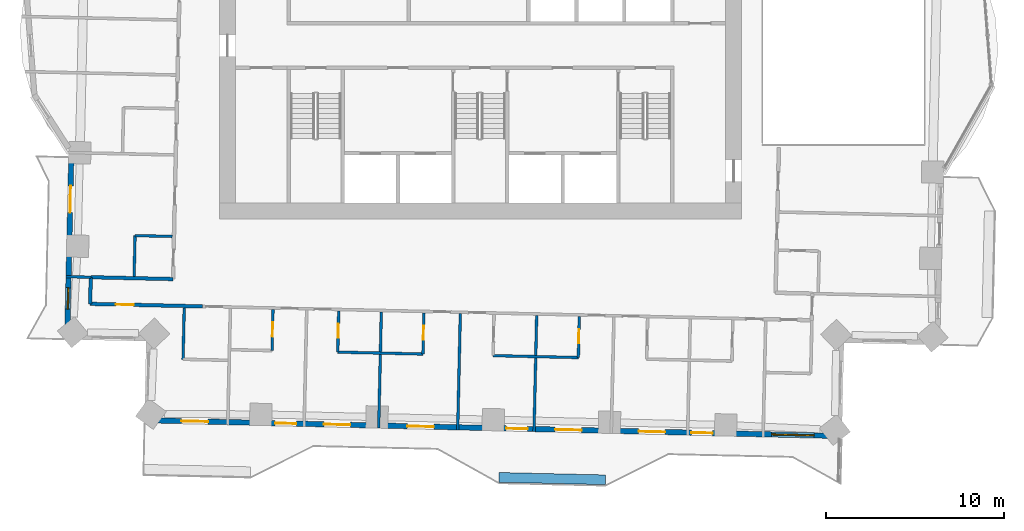
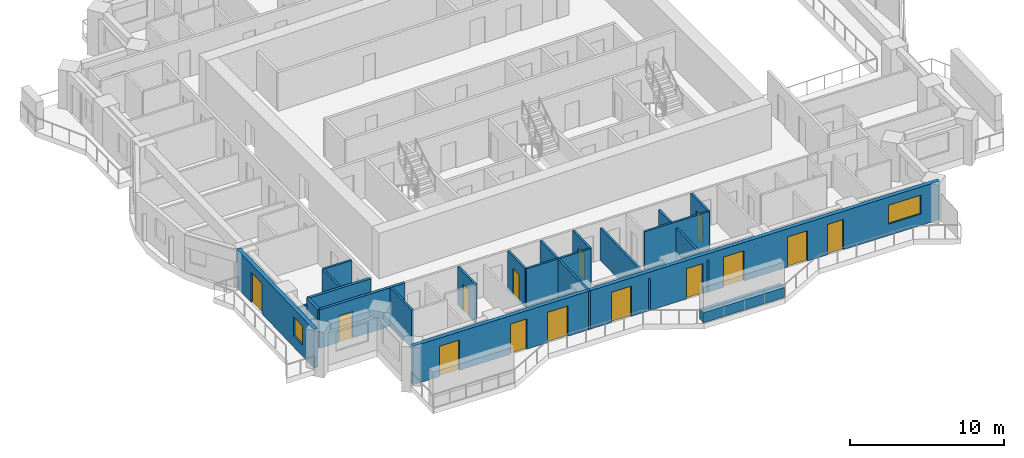
# One storey, part 4 of 14: 19 walls, 14 doors, 2 windows, 16 openings.
"""IFC4 building model written with IfcOpenShell, lengths in metres."""

import ifcopenshell
import ifcopenshell.guid

model = None  # the IFC model being written
_history = None  # IfcOwnerHistory: only IFC2X3 demands one
_inside = {}  # id of a spatial element -> (the spatial element, [elements in it])
_under = {}  # id of a project, library or spatial element -> (it, [spatial elements below it])
_declared = {}  # id of a project -> (the project, [libraries it declares])
_typed = {}  # id of a type object -> (the type object, [elements of that type])
_made_of = {}  # id of a material, layer set ... -> (it, [elements and type objects made of it])


def new_model(schema):
    """Start an empty IFC model of exactly this schema.

    Asked for "IFC4X3", IfcOpenShell would pick the latest addendum, in which some entities
    have other attributes; the version numbers below select the first issue.
    IFC2X3 requires an IfcOwnerHistory on every rooted entity: one is made here for all.
    """
    global model, _history
    if schema == "IFC4X3":
        model = ifcopenshell.file(schema_version=(4, 3, 0, 0))
    else:
        model = ifcopenshell.file(schema=schema)
    _inside.clear()
    _under.clear()
    _declared.clear()
    _typed.clear()
    _made_of.clear()
    _history = None
    if model.schema == "IFC2X3":
        org = make("IfcOrganization", Name="unknown")
        user = make(
            "IfcPersonAndOrganization",
            ThePerson=make("IfcPerson", FamilyName="unknown"),
            TheOrganization=org,
        )
        app = make(
            "IfcApplication",
            ApplicationDeveloper=org,
            Version="unknown",
            ApplicationFullName="unknown",
            ApplicationIdentifier="unknown",
        )
        _history = make(
            "IfcOwnerHistory",
            OwningUser=user,
            OwningApplication=app,
            ChangeAction="ADDED",
            CreationDate=0,
        )
    return model


def make(cls, **values):
    """One entity of the class cls with the attributes given. An attribute that is None is left unset."""
    return model.create_entity(
        cls, **{name: value for name, value in values.items() if value is not None}
    )


def rooted(cls, **values):
    """An entity with a GlobalId (a new one), such as an element, a storey or a relation."""
    return make(cls, GlobalId=ifcopenshell.guid.new(), OwnerHistory=_history, **values)


def si_unit(unit_type, name, prefix=None):
    """IfcSIUnit, for example si_unit("LENGTHUNIT", "METRE", prefix="MILLI")."""
    return make("IfcSIUnit", UnitType=unit_type, Prefix=prefix, Name=name)


def assignment(units):
    """IfcUnitAssignment: the units of a project."""
    return None if units is None else make("IfcUnitAssignment", Units=units)


def point(xyz):
    """IfcCartesianPoint."""
    return None if xyz is None else make("IfcCartesianPoint", Coordinates=xyz)


def direction(xyz):
    """IfcDirection."""
    return None if xyz is None else make("IfcDirection", DirectionRatios=xyz)


def frame(location, z_axis=None, x_axis=None):
    """IfcAxis2Placement3D, a coordinate frame: its origin and axes. An axis left out is left unset."""
    return make(
        "IfcAxis2Placement3D",
        Location=point(location),
        Axis=direction(z_axis),
        RefDirection=direction(x_axis),
    )


def frame_2d(location, x_axis=None):
    """IfcAxis2Placement2D, a coordinate frame in the plane: its origin and x axis."""
    return make(
        "IfcAxis2Placement2D", Location=point(location), RefDirection=direction(x_axis)
    )


def origin():
    """The frame at (0, 0, 0) with its axes left unset."""
    return frame((0.0, 0.0, 0.0))


def place(relative_to, where):
    """IfcLocalPlacement: puts the frame where relative to a parent placement (None: the world)."""
    return make(
        "IfcLocalPlacement", PlacementRelTo=relative_to, RelativePlacement=where
    )


def context(
    kind, dimensions, precision=None, world=None, true_north=None, identifier=None
):
    """IfcGeometricRepresentationContext, for example the 3D "Model" context."""
    return make(
        "IfcGeometricRepresentationContext",
        ContextIdentifier=identifier,
        ContextType=kind,
        CoordinateSpaceDimension=dimensions,
        Precision=precision,
        WorldCoordinateSystem=world,
        TrueNorth=true_north,
    )


def subcontext(parent, identifier, kind, view, scale=None):
    """IfcGeometricRepresentationSubContext, for example "Body" below "Model"."""
    return make(
        "IfcGeometricRepresentationSubContext",
        ContextIdentifier=identifier,
        ContextType=kind,
        ParentContext=parent,
        TargetScale=scale,
        TargetView=view,
    )


def project(units=None, contexts=None):
    """IfcProject with its units and contexts."""
    return rooted(
        "IfcProject",
        Name="project",
        RepresentationContexts=contexts,
        UnitsInContext=assignment(units),
    )


def spatial(cls, under=None, at=None, **own):
    """A site, building, storey or space (cls), placed at a placement, below another one or the project."""
    s = rooted(cls, ObjectPlacement=at, **own)
    if under is not None:
        _under.setdefault(under.id(), (under, []))[1].append(s)
    return s


def profile(cls, at=None, kind="AREA", **sizes):
    """A parametric profile (cls). Its sizes go by their IFC names, for example OverallWidth=200.0."""
    return make(cls, ProfileType=kind, Position=at, **sizes)


def rectangle(**sizes):
    """IfcRectangleProfileDef."""
    return profile("IfcRectangleProfileDef", **sizes)


def extrude(swept, where, along, depth):
    """IfcExtrudedAreaSolid: the profile swept, set in the frame where, extruded along a direction by depth."""
    return make(
        "IfcExtrudedAreaSolid",
        SweptArea=swept,
        Position=where,
        ExtrudedDirection=direction(along),
        Depth=depth,
    )


def shape(context_of_items, identifier, shape_type, items):
    """IfcShapeRepresentation: the items that make up one representation, for example the "Body"."""
    return make(
        "IfcShapeRepresentation",
        ContextOfItems=context_of_items,
        RepresentationIdentifier=identifier,
        RepresentationType=shape_type,
        Items=items,
    )


def material(Name=None, Category=None):
    """IfcMaterial."""
    return make("IfcMaterial", Name=Name, Category=Category)


def layer(
    of_material, thickness, ventilated=None, Name=None, Category=None, Priority=None
):
    """IfcMaterialLayer: one layer of a wall or slab, of a material (None: an air gap)."""
    return make(
        "IfcMaterialLayer",
        Material=of_material,
        LayerThickness=thickness,
        IsVentilated=ventilated,
        Name=Name,
        Category=Category,
        Priority=Priority,
    )


def layer_set(layers, Name=None):
    """IfcMaterialLayerSet."""
    return make("IfcMaterialLayerSet", MaterialLayers=layers, LayerSetName=Name)


def made_of(thing, what):
    """Note that an element or type object is made of a material, layer set ...; save() writes the relation."""
    if what is not None:
        _made_of.setdefault(what.id(), (what, []))[1].append(thing)
    return thing


def type_object(cls, material=None, **own):
    """A type object (cls), such as IfcWallType, which elements share."""
    return made_of(rooted(cls, **own), material)


def element(
    cls,
    number,
    at=None,
    inside=None,
    cuts=None,
    type_object=None,
    material=None,
    context=None,
    identifier="Body",
    shape_type=None,
    held_by="IfcProductDefinitionShape",
    body=None,
    shapes=None,
    **own,
):
    """One element of the class cls, such as IfcWall. Its Tag is "e" and its number.

    at: its placement. inside: the storey or other place that contains it. cuts: it is an
    opening in that element (IfcRelVoidsElement). A single representation is given by context,
    identifier, shape_type and body (its items); several are given by shapes. held_by: the class
    of the entity that holds the representations. save() writes the other relations.
    """
    e = rooted(cls, Tag="e%d" % number, ObjectPlacement=at, **own)
    if body is not None:
        shapes = [shape(context, identifier, shape_type, body)]
    if shapes is not None:
        e.Representation = make(held_by, Representations=shapes)
    if inside is not None:
        _inside.setdefault(inside.id(), (inside, []))[1].append(e)
    if cuts is not None:
        rooted(
            "IfcRelVoidsElement", RelatingBuildingElement=cuts, RelatedOpeningElement=e
        )
    if type_object is not None:
        _typed.setdefault(type_object.id(), (type_object, []))[1].append(e)
    return made_of(e, material)


def fill(opening, filler):
    """IfcRelFillsElement: the door or window that sits in an opening."""
    return rooted(
        "IfcRelFillsElement",
        RelatingOpeningElement=opening,
        RelatedBuildingElement=filler,
    )


def aggregate(whole, parts):
    """IfcRelAggregates: a whole, such as a stair, and the parts it consists of."""
    return rooted("IfcRelAggregates", RelatingObject=whole, RelatedObjects=parts)


def save(model, path):
    """Write the relations noted so far, then the file.

    IfcRelAggregates (storeys below a building ...), IfcRelContainedInSpatialStructure (elements
    in a storey), IfcRelDefinesByType, IfcRelAssociatesMaterial and IfcRelDeclares: one each for
    every whole, place, type object, material and project.
    """
    for whole, parts in _under.values():
        aggregate(whole, parts)
    for where, things in _inside.values():
        rooted(
            "IfcRelContainedInSpatialStructure",
            RelatedElements=things,
            RelatingStructure=where,
        )
    for kind, things in _typed.values():
        rooted("IfcRelDefinesByType", RelatedObjects=things, RelatingType=kind)
    for what, things in _made_of.values():
        rooted("IfcRelAssociatesMaterial", RelatedObjects=things, RelatingMaterial=what)
    for by, libraries in _declared.values():
        rooted("IfcRelDeclares", RelatingContext=by, RelatedDefinitions=libraries)
    model.write(path)


model = new_model("IFC4")

# Units and contexts
model_context = context("Model", 3, precision=1e-05, world=origin(), true_north=direction((0.0, 1.0)))
body_context = subcontext(model_context, "Body", "Model", "MODEL_VIEW")
ifc_project = project(units=[si_unit("LENGTHUNIT", "METRE"), si_unit("AREAUNIT", "SQUARE_METRE"), si_unit("VOLUMEUNIT", "CUBIC_METRE"), si_unit("PLANEANGLEUNIT", "RADIAN"), si_unit("MASSUNIT", "GRAM", prefix="KILO")], contexts=[model_context])

# Site, building, storey
site_placement = place(None, origin())
site = spatial("IfcSite", under=ifc_project, at=site_placement, CompositionType="ELEMENT")
building_placement = place(site_placement, origin())
building = spatial("IfcBuilding", under=site, at=building_placement, Name="Mangrove Gate Tower", CompositionType="ELEMENT")
storey_placement = place(building_placement, frame((0.0, 0.0, 159.89990234375)))
storey = spatial("IfcBuildingStorey", under=building, at=storey_placement, Name="L40", CompositionType="ELEMENT", Elevation=159.89990234375)

# Wall
ifc_material_1 = material(Name="Gypsum board on steel stud, EI 60", Category="steel")
ifc_layer_1 = layer(ifc_material_1, 0.199951171875)
ifc_layer_set_1 = layer_set([ifc_layer_1], Name="Corridor wall EI 60")
wall_type_1 = type_object("IfcWallType", Name="Corridor wall EI 60", PredefinedType="PARTITIONING", material=ifc_layer_set_1)
wall_1_placement = place(storey_placement, frame((-21.98291015625, -16.492919921875, 0.0), z_axis=(0.0, 0.0, 1.0), x_axis=(0.022617910375, 0.999744182344, 0.0)))
element("IfcWall", 1, at=wall_1_placement, inside=storey, type_object=wall_type_1, Name="WALL-L40-024", PredefinedType="PARTITIONING", context=body_context, shape_type="SweptSolid", body=[
    extrude(rectangle(XDim=1.50048828125, YDim=0.199951171875, at=frame_2d((0.750244140625, 0.0))), origin(), (0.0, 0.0, 1.0), 3.050048828125),
])

# Wall, opening, door
wall_2_placement = place(storey_placement, frame((-21.98291015625, -16.489013671875, 0.0), z_axis=(0.0, 0.0, 1.0), x_axis=(0.999744930163, -0.022584831499, 0.0)))
wall_2 = element("IfcWall", 2, at=wall_2_placement, inside=storey, type_object=wall_type_1, Name="WALL-L40-026", PredefinedType="PARTITIONING", context=body_context, shape_type="SweptSolid", body=[
    extrude(rectangle(XDim=6.334716796875, YDim=0.199951171875, at=frame_2d((3.16748046875, 0.0))), origin(), (0.0, 0.0, 1.0), 3.050048828125),
])
opening_1_placement = place(wall_2_placement, frame((1.449951171875, 0.0, 0.0)))
opening_1 = element("IfcOpeningElement", 3, at=opening_1_placement, cuts=wall_2, Name="Opening AD", PredefinedType="OPENING", context=body_context, shape_type="SweptSolid", body=[
    extrude(rectangle(XDim=1.0, YDim=2.10009765625, at=frame_2d((0.5, 1.050048828125))), frame((0.0, 0.10986328125, 0.0), z_axis=(0.0, -1.0, 0.0), x_axis=(1.0, 0.0, 0.0)), (0.0, 0.0, 1.0), 0.219970703125),
])
ifc_material_2 = material(Name="Timber door leaf", Category="wood")
door_type_1 = type_object("IfcDoorType", Name="Amenity door 1000", OperationType="SINGLE_SWING_LEFT", PredefinedType="DOOR", material=ifc_material_2)
door_1_placement = place(opening_1_placement, origin())
door_1 = element("IfcDoor", 4, at=door_1_placement, inside=storey, type_object=door_type_1, Name="DOOR-L40-KIT-c1a", OperationType="SINGLE_SWING_LEFT", OverallHeight=2.10009765625, OverallWidth=1.0, PredefinedType="DOOR", context=body_context, shape_type="SweptSolid", body=[
    extrude(rectangle(XDim=1.0, YDim=2.10009765625, at=frame_2d((0.5, 1.050048828125))), frame((0.0, 0.02490234375, 0.0), z_axis=(0.0, -1.0, 0.0), x_axis=(1.0, 0.0, 0.0)), (0.0, 0.0, 1.0), 0.050048828125),
])
fill(opening_1, door_1)

# Wall
wall_3_placement = place(storey_placement, frame((-21.948974609375, -14.989013671875, 0.0), z_axis=(0.0, 0.0, 1.0), x_axis=(0.999743491588, -0.022648422179, 0.0)))
element("IfcWall", 5, at=wall_3_placement, inside=storey, type_object=wall_type_1, Name="WALL-L40-034", PredefinedType="PARTITIONING", context=body_context, shape_type="SweptSolid", body=[
    extrude(rectangle(XDim=4.63525390625, YDim=0.199951171875, at=frame_2d((2.317626953125, 0.0))), origin(), (0.0, 0.0, 1.0), 3.050048828125),
])

# Wall, openings, door, window
ifc_material_3 = material(Name="Limestone", Category="masonry")
ifc_layer_2 = layer(ifc_material_3, 0.0400390625, Name="Limestone cladding")
ifc_material_4 = material(Name="Ventilated air gap")
ifc_layer_3 = layer(ifc_material_4, 0.0400390625, Name="Ventilated cavity")
ifc_material_5 = material(Name="Mineral wool insulation")
ifc_layer_4 = layer(ifc_material_5, 0.06005859375, Name="Insulation")
ifc_material_6 = material(Name="Breather membrane")
ifc_layer_5 = layer(ifc_material_6, 0.001953125, Name="Breather membrane")
ifc_material_7 = material(Name="Concrete C20/25 blockwork", Category="masonry")
ifc_layer_6 = layer(ifc_material_7, 0.14990234375, Name="Blockwork backing wall")
ifc_material_8 = material(Name="Gypsum plaster")
ifc_layer_7 = layer(ifc_material_8, 0.008056640625, Name="Internal plaster")
ifc_layer_set_2 = layer_set([ifc_layer_2, ifc_layer_3, ifc_layer_4, ifc_layer_5, ifc_layer_6, ifc_layer_7], Name="External wall 300 limestone cladding")
wall_type_2 = type_object("IfcWallType", Name="External wall 300 limestone cladding", PredefinedType="SOLIDWALL", material=ifc_layer_set_2)
wall_4_placement = place(storey_placement, frame((-23.0380859375, -7.9130859375, 0.0), z_axis=(0.0, 0.0, 1.0), x_axis=(-0.022705985163, -0.999742185885, 0.0)))
wall_4 = element("IfcWall", 6, at=wall_4_placement, inside=storey, type_object=wall_type_2, Name="WALL-L40-W10", PredefinedType="SOLIDWALL", context=body_context, shape_type="SweptSolid", body=[
    extrude(rectangle(XDim=10.4296875, YDim=0.300048828125, at=frame_2d((5.21484375, 0.0))), origin(), (0.0, 0.0, 1.0), 3.050048828125),
])
opening_2_placement = place(wall_4_placement, frame((1.93603515625, 0.0, 0.0)))
opening_2 = element("IfcOpeningElement", 7, at=opening_2_placement, cuts=wall_4, Name="Opening BD1", PredefinedType="OPENING", context=body_context, shape_type="SweptSolid", body=[
    extrude(rectangle(XDim=1.5, YDim=2.39990234375, at=frame_2d((0.75, 1.199951171875))), frame((0.0, 0.159912109375, 0.0), z_axis=(0.0, -1.0, 0.0), x_axis=(1.0, 0.0, 0.0)), (0.0, 0.0, 1.0), 0.320068359375),
])
opening_3_placement = place(wall_4_placement, frame((7.669921875, 0.0, 0.89990234375)))
opening_3 = element("IfcOpeningElement", 8, at=opening_3_placement, cuts=wall_4, Name="Opening W1", PredefinedType="OPENING", context=body_context, shape_type="SweptSolid", body=[
    extrude(rectangle(XDim=1.199951171875, YDim=1.5, at=frame_2d((0.60009765625, 0.75))), frame((0.0, 0.159912109375, 0.0), z_axis=(0.0, -1.0, 0.0), x_axis=(1.0, 0.0, 0.0)), (0.0, 0.0, 1.0), 0.320068359375),
])
ifc_material_9 = material(Name="Aluminium frame with laminated clear glass", Category="aluminium")
door_type_2 = type_object("IfcDoorType", Name="Balcony sliding door 1500x2400", OperationType="SLIDING_TO_LEFT", PredefinedType="DOOR", material=ifc_material_9)
door_2_placement = place(opening_2_placement, origin())
door_2 = element("IfcDoor", 9, at=door_2_placement, inside=storey, type_object=door_type_2, Name="DOOR-L40-W10-1", OperationType="SLIDING_TO_LEFT", OverallHeight=2.39990234375, OverallWidth=1.5, PredefinedType="DOOR", context=body_context, shape_type="SweptSolid", body=[
    extrude(rectangle(XDim=1.5, YDim=2.39990234375, at=frame_2d((0.75, 1.199951171875))), frame((0.0, 0.02490234375, 0.0), z_axis=(0.0, -1.0, 0.0), x_axis=(1.0, 0.0, 0.0)), (0.0, 0.0, 1.0), 0.050048828125),
])
fill(opening_2, door_2)
ifc_material_10 = material(Name="Aluminium frame with double-glazed low-e glass", Category="aluminium")
window_type_1 = type_object("IfcWindowType", Name="Side lite 1200x1500", PartitioningType="SINGLE_PANEL", PredefinedType="WINDOW", material=ifc_material_10)
window_1_placement = place(opening_3_placement, origin())
window_1 = element("IfcWindow", 10, at=window_1_placement, inside=storey, type_object=window_type_1, Name="WIN-L40-W10-2", OverallHeight=1.5, OverallWidth=1.199951171875, PartitioningType="SINGLE_PANEL", PredefinedType="WINDOW", context=body_context, shape_type="SweptSolid", body=[
    extrude(rectangle(XDim=1.199951171875, YDim=1.5, at=frame_2d((0.60009765625, 0.75))), frame((0.0, 0.030029296875, 0.0), z_axis=(0.0, -1.0, 0.0), x_axis=(1.0, 0.0, 0.0)), (0.0, 0.0, 1.0), 0.06005859375),
])
fill(opening_3, window_1)

# Wall, openings, doors, window
wall_5_placement = place(storey_placement, frame((-18.781005859375, -23.04296875, 0.0), z_axis=(0.0, 0.0, 1.0), x_axis=(0.999742794992, -0.022679150367, 0.0)))
wall_5 = element("IfcWall", 11, at=wall_5_placement, inside=storey, type_object=wall_type_2, Name="WALL-L40-S13", PredefinedType="SOLIDWALL", context=body_context, shape_type="SweptSolid", body=[
    extrude(rectangle(XDim=38.97998046875, YDim=0.300048828125, at=frame_2d((19.489990234375, 0.0))), origin(), (0.0, 0.0, 1.0), 3.050048828125),
])
opening_4_placement = place(wall_5_placement, frame((1.93994140625, 0.0, 0.0)))
opening_4 = element("IfcOpeningElement", 12, at=opening_4_placement, cuts=wall_5, Name="Opening BD1", PredefinedType="OPENING", context=body_context, shape_type="SweptSolid", body=[
    extrude(rectangle(XDim=1.5, YDim=2.39990234375, at=frame_2d((0.75, 1.199951171875))), frame((0.0, 0.159912109375, 0.0), z_axis=(0.0, -1.0, 0.0), x_axis=(1.0, 0.0, 0.0)), (0.0, 0.0, 1.0), 0.320068359375),
])
opening_5_placement = place(wall_5_placement, frame((7.2109375, 0.0, 0.0)))
opening_5 = element("IfcOpeningElement", 13, at=opening_5_placement, cuts=wall_5, Name="Opening BD2", PredefinedType="OPENING", context=body_context, shape_type="SweptSolid", body=[
    extrude(rectangle(XDim=1.199951171875, YDim=2.39990234375, at=frame_2d((0.60009765625, 1.199951171875))), frame((0.0, 0.159912109375, 0.0), z_axis=(0.0, -1.0, 0.0), x_axis=(1.0, 0.0, 0.0)), (0.0, 0.0, 1.0), 0.320068359375),
])
opening_6_placement = place(wall_5_placement, frame((9.958984375, 0.0, 0.0)))
opening_6 = element("IfcOpeningElement", 14, at=opening_6_placement, cuts=wall_5, Name="Opening BD1", PredefinedType="OPENING", context=body_context, shape_type="SweptSolid", body=[
    extrude(rectangle(XDim=1.5, YDim=2.39990234375, at=frame_2d((0.75, 1.199951171875))), frame((0.0, 0.159912109375, 0.0), z_axis=(0.0, -1.0, 0.0), x_axis=(1.0, 0.0, 0.0)), (0.0, 0.0, 1.0), 0.320068359375),
])
opening_7_placement = place(wall_5_placement, frame((14.658935546875, 0.0, 0.0)))
opening_7 = element("IfcOpeningElement", 15, at=opening_7_placement, cuts=wall_5, Name="Opening BD1", PredefinedType="OPENING", context=body_context, shape_type="SweptSolid", body=[
    extrude(rectangle(XDim=1.5, YDim=2.39990234375, at=frame_2d((0.75, 1.199951171875))), frame((0.0, 0.159912109375, 0.0), z_axis=(0.0, -1.0, 0.0), x_axis=(1.0, 0.0, 0.0)), (0.0, 0.0, 1.0), 0.320068359375),
])
opening_8_placement = place(wall_5_placement, frame((20.23193359375, 0.0, 0.0)))
opening_8 = element("IfcOpeningElement", 16, at=opening_8_placement, cuts=wall_5, Name="Opening BD2", PredefinedType="OPENING", context=body_context, shape_type="SweptSolid", body=[
    extrude(rectangle(XDim=1.199951171875, YDim=2.39990234375, at=frame_2d((0.60009765625, 1.199951171875))), frame((0.0, 0.159912109375, 0.0), z_axis=(0.0, -1.0, 0.0), x_axis=(1.0, 0.0, 0.0)), (0.0, 0.0, 1.0), 0.320068359375),
])
opening_9_placement = place(wall_5_placement, frame((22.98095703125, 0.0, 0.0)))
opening_9 = element("IfcOpeningElement", 17, at=opening_9_placement, cuts=wall_5, Name="Opening BD1", PredefinedType="OPENING", context=body_context, shape_type="SweptSolid", body=[
    extrude(rectangle(XDim=1.5, YDim=2.39990234375, at=frame_2d((0.75, 1.199951171875))), frame((0.0, 0.159912109375, 0.0), z_axis=(0.0, -1.0, 0.0), x_axis=(1.0, 0.0, 0.0)), (0.0, 0.0, 1.0), 0.320068359375),
])
opening_10_placement = place(wall_5_placement, frame((27.680908203125, 0.0, 0.0)))
opening_10 = element("IfcOpeningElement", 18, at=opening_10_placement, cuts=wall_5, Name="Opening BD1", PredefinedType="OPENING", context=body_context, shape_type="SweptSolid", body=[
    extrude(rectangle(XDim=1.5, YDim=2.39990234375, at=frame_2d((0.75, 1.199951171875))), frame((0.0, 0.159912109375, 0.0), z_axis=(0.0, -1.0, 0.0), x_axis=(1.0, 0.0, 0.0)), (0.0, 0.0, 1.0), 0.320068359375),
])
opening_11_placement = place(wall_5_placement, frame((30.654052734375, 0.0, 0.0)))
opening_11 = element("IfcOpeningElement", 19, at=opening_11_placement, cuts=wall_5, Name="Opening BD2", PredefinedType="OPENING", context=body_context, shape_type="SweptSolid", body=[
    extrude(rectangle(XDim=1.199951171875, YDim=2.39990234375, at=frame_2d((0.60009765625, 1.199951171875))), frame((0.0, 0.159912109375, 0.0), z_axis=(0.0, -1.0, 0.0), x_axis=(1.0, 0.0, 0.0)), (0.0, 0.0, 1.0), 0.320068359375),
])
opening_12_placement = place(wall_5_placement, frame((35.176025390625, 0.0, 0.89990234375)))
opening_12 = element("IfcOpeningElement", 20, at=opening_12_placement, cuts=wall_5, Name="Opening W2", PredefinedType="OPENING", context=body_context, shape_type="SweptSolid", body=[
    extrude(rectangle(XDim=2.39990234375, YDim=1.5, at=frame_2d((1.199951171875, 0.75))), frame((0.0, 0.159912109375, 0.0), z_axis=(0.0, -1.0, 0.0), x_axis=(1.0, 0.0, 0.0)), (0.0, 0.0, 1.0), 0.320068359375),
])
ifc_material_11 = material(Name="Aluminium frame with laminated clear glass", Category="aluminium")
door_type_3 = type_object("IfcDoorType", Name="Balcony sliding door 1200x2400", OperationType="SLIDING_TO_LEFT", PredefinedType="DOOR", material=ifc_material_11)
door_3_placement = place(opening_5_placement, origin())
door_3 = element("IfcDoor", 21, at=door_3_placement, inside=storey, type_object=door_type_3, Name="DOOR-L40-S13-2", OperationType="SLIDING_TO_LEFT", OverallHeight=2.39990234375, OverallWidth=1.199951171875, PredefinedType="DOOR", context=body_context, shape_type="SweptSolid", body=[
    extrude(rectangle(XDim=1.199951171875, YDim=2.39990234375, at=frame_2d((0.60009765625, 1.199951171875))), frame((0.0, 0.02490234375, 0.0), z_axis=(0.0, -1.0, 0.0), x_axis=(1.0, 0.0, 0.0)), (0.0, 0.0, 1.0), 0.050048828125),
])
fill(opening_5, door_3)
door_4_placement = place(opening_8_placement, origin())
door_4 = element("IfcDoor", 22, at=door_4_placement, inside=storey, type_object=door_type_3, Name="DOOR-L40-S13-5", OperationType="SLIDING_TO_LEFT", OverallHeight=2.39990234375, OverallWidth=1.199951171875, PredefinedType="DOOR", context=body_context, shape_type="SweptSolid", body=[
    extrude(rectangle(XDim=1.199951171875, YDim=2.39990234375, at=frame_2d((0.60009765625, 1.199951171875))), frame((0.0, 0.02490234375, 0.0), z_axis=(0.0, -1.0, 0.0), x_axis=(1.0, 0.0, 0.0)), (0.0, 0.0, 1.0), 0.050048828125),
])
fill(opening_8, door_4)
door_5_placement = place(opening_11_placement, origin())
door_5 = element("IfcDoor", 23, at=door_5_placement, inside=storey, type_object=door_type_3, Name="DOOR-L40-S13-8", OperationType="SLIDING_TO_LEFT", OverallHeight=2.39990234375, OverallWidth=1.199951171875, PredefinedType="DOOR", context=body_context, shape_type="SweptSolid", body=[
    extrude(rectangle(XDim=1.199951171875, YDim=2.39990234375, at=frame_2d((0.60009765625, 1.199951171875))), frame((0.0, 0.02490234375, 0.0), z_axis=(0.0, -1.0, 0.0), x_axis=(1.0, 0.0, 0.0)), (0.0, 0.0, 1.0), 0.050048828125),
])
fill(opening_11, door_5)
door_6_placement = place(opening_4_placement, origin())
door_6 = element("IfcDoor", 24, at=door_6_placement, inside=storey, type_object=door_type_2, Name="DOOR-L40-S13-1", OperationType="SLIDING_TO_LEFT", OverallHeight=2.39990234375, OverallWidth=1.5, PredefinedType="DOOR", context=body_context, shape_type="SweptSolid", body=[
    extrude(rectangle(XDim=1.5, YDim=2.39990234375, at=frame_2d((0.75, 1.199951171875))), frame((0.0, 0.02490234375, 0.0), z_axis=(0.0, -1.0, 0.0), x_axis=(1.0, 0.0, 0.0)), (0.0, 0.0, 1.0), 0.050048828125),
])
fill(opening_4, door_6)
door_7_placement = place(opening_6_placement, origin())
door_7 = element("IfcDoor", 25, at=door_7_placement, inside=storey, type_object=door_type_2, Name="DOOR-L40-S13-3", OperationType="SLIDING_TO_LEFT", OverallHeight=2.39990234375, OverallWidth=1.5, PredefinedType="DOOR", context=body_context, shape_type="SweptSolid", body=[
    extrude(rectangle(XDim=1.5, YDim=2.39990234375, at=frame_2d((0.75, 1.199951171875))), frame((0.0, 0.02490234375, 0.0), z_axis=(0.0, -1.0, 0.0), x_axis=(1.0, 0.0, 0.0)), (0.0, 0.0, 1.0), 0.050048828125),
])
fill(opening_6, door_7)
door_8_placement = place(opening_7_placement, origin())
door_8 = element("IfcDoor", 26, at=door_8_placement, inside=storey, type_object=door_type_2, Name="DOOR-L40-S13-4", OperationType="SLIDING_TO_LEFT", OverallHeight=2.39990234375, OverallWidth=1.5, PredefinedType="DOOR", context=body_context, shape_type="SweptSolid", body=[
    extrude(rectangle(XDim=1.5, YDim=2.39990234375, at=frame_2d((0.75, 1.199951171875))), frame((0.0, 0.02490234375, 0.0), z_axis=(0.0, -1.0, 0.0), x_axis=(1.0, 0.0, 0.0)), (0.0, 0.0, 1.0), 0.050048828125),
])
fill(opening_7, door_8)
door_9_placement = place(opening_9_placement, origin())
door_9 = element("IfcDoor", 27, at=door_9_placement, inside=storey, type_object=door_type_2, Name="DOOR-L40-S13-6", OperationType="SLIDING_TO_LEFT", OverallHeight=2.39990234375, OverallWidth=1.5, PredefinedType="DOOR", context=body_context, shape_type="SweptSolid", body=[
    extrude(rectangle(XDim=1.5, YDim=2.39990234375, at=frame_2d((0.75, 1.199951171875))), frame((0.0, 0.02490234375, 0.0), z_axis=(0.0, -1.0, 0.0), x_axis=(1.0, 0.0, 0.0)), (0.0, 0.0, 1.0), 0.050048828125),
])
fill(opening_9, door_9)
door_10_placement = place(opening_10_placement, origin())
door_10 = element("IfcDoor", 28, at=door_10_placement, inside=storey, type_object=door_type_2, Name="DOOR-L40-S13-7", OperationType="SLIDING_TO_LEFT", OverallHeight=2.39990234375, OverallWidth=1.5, PredefinedType="DOOR", context=body_context, shape_type="SweptSolid", body=[
    extrude(rectangle(XDim=1.5, YDim=2.39990234375, at=frame_2d((0.75, 1.199951171875))), frame((0.0, 0.02490234375, 0.0), z_axis=(0.0, -1.0, 0.0), x_axis=(1.0, 0.0, 0.0)), (0.0, 0.0, 1.0), 0.050048828125),
])
fill(opening_10, door_10)
ifc_material_12 = material(Name="Aluminium frame with double-glazed low-e glass", Category="aluminium")
window_type_2 = type_object("IfcWindowType", Name="Corner room window 2400x1500", PartitioningType="DOUBLE_PANEL_VERTICAL", PredefinedType="WINDOW", material=ifc_material_12)
window_2_placement = place(opening_12_placement, origin())
window_2 = element("IfcWindow", 29, at=window_2_placement, inside=storey, type_object=window_type_2, Name="WIN-L40-S13-9", OverallHeight=1.5, OverallWidth=2.39990234375, PartitioningType="DOUBLE_PANEL_VERTICAL", PredefinedType="WINDOW", context=body_context, shape_type="SweptSolid", body=[
    extrude(rectangle(XDim=2.39990234375, YDim=1.5, at=frame_2d((1.199951171875, 0.75))), frame((0.0, 0.030029296875, 0.0), z_axis=(0.0, -1.0, 0.0), x_axis=(1.0, 0.0, 0.0)), (0.0, 0.0, 1.0), 0.06005859375),
])
fill(opening_12, window_2)

# Walls
ifc_material_13 = material(Name="Gypsum board on steel stud, EI 60", Category="steel")
ifc_layer_8 = layer(ifc_material_13, 0.14990234375)
ifc_layer_set_3 = layer_set([ifc_layer_8], Name="Party wall 150 EI 60")
wall_type_3 = type_object("IfcWallType", Name="Party wall 150 EI 60", PredefinedType="PARTITIONING", material=ifc_layer_set_3)
wall_6_placement = place(storey_placement, frame((-5.737060546875, -23.489013671875, 0.0), z_axis=(0.0, 0.0, 1.0), x_axis=(0.022585104341, 0.999744923999, 0.0)))
element("IfcWall", 30, at=wall_6_placement, inside=storey, type_object=wall_type_3, Name="WALL-L40-003", PredefinedType="PARTITIONING", context=body_context, shape_type="SweptSolid", body=[
    extrude(rectangle(XDim=6.55078125, YDim=0.14990234375, at=frame_2d((3.275390625, 0.0))), origin(), (0.0, 0.0, 1.0), 3.050048828125),
])
wall_7_placement = place(storey_placement, frame((-1.2890625, -23.590087890625, 0.0), z_axis=(0.0, 0.0, 1.0), x_axis=(0.022771353855, 0.999740699103, 0.0)))
element("IfcWall", 31, at=wall_7_placement, inside=storey, type_object=wall_type_3, Name="WALL-L40-004", PredefinedType="PARTITIONING", context=body_context, shape_type="SweptSolid", body=[
    extrude(rectangle(XDim=6.55078125, YDim=0.14990234375, at=frame_2d((3.275390625, 0.0))), origin(), (0.0, 0.0, 1.0), 2.550048828125),
])
wall_8_placement = place(storey_placement, frame((3.010009765625, -23.68798828125, 0.0), z_axis=(0.0, 0.0, 1.0), x_axis=(0.02273071641, 0.999741623887, 0.0)))
element("IfcWall", 32, at=wall_8_placement, inside=storey, type_object=wall_type_3, Name="WALL-L40-005", PredefinedType="PARTITIONING", context=body_context, shape_type="SweptSolid", body=[
    extrude(rectangle(XDim=6.5517578125, YDim=0.14990234375, at=frame_2d((3.27587890625, 0.0))), origin(), (0.0, 0.0, 1.0), 2.550048828125),
])
wall_9_placement = place(storey_placement, frame((-16.751953125, -19.612060546875, 0.0), z_axis=(0.0, 0.0, 1.0), x_axis=(0.022730967319, 0.999741618182, 0.0)))
element("IfcWall", 33, at=wall_9_placement, inside=storey, type_object=wall_type_3, Name="WALL-L40-009", PredefinedType="PARTITIONING", context=body_context, shape_type="SweptSolid", body=[
    extrude(rectangle(XDim=2.89990234375, YDim=0.14990234375, at=frame_2d((1.449951171875, 0.0))), origin(), (0.0, 0.0, 1.0), 3.050048828125),
])

# Wall, opening, door
wall_10_placement = place(storey_placement, frame((-11.739990234375, -19.1259765625, 0.0), z_axis=(0.0, 0.0, 1.0), x_axis=(0.022781023197, 0.999740478815, 0.0)))
wall_10 = element("IfcWall", 34, at=wall_10_placement, inside=storey, type_object=wall_type_3, Name="WALL-L40-013", PredefinedType="PARTITIONING", context=body_context, shape_type="SweptSolid", body=[
    extrude(rectangle(XDim=2.325439453125, YDim=0.14990234375, at=frame_2d((1.16259765625, 0.0))), origin(), (0.0, 0.0, 1.0), 3.050048828125),
])
opening_13_placement = place(wall_10_placement, frame((0.800048828125, 0.0, 0.0)))
opening_13 = element("IfcOpeningElement", 35, at=opening_13_placement, cuts=wall_10, Name="Opening ED", PredefinedType="OPENING", context=body_context, shape_type="SweptSolid", body=[
    extrude(rectangle(XDim=0.800048828125, YDim=2.10009765625, at=frame_2d((0.39990234375, 1.050048828125))), frame((0.0, 0.0849609375, 0.0), z_axis=(0.0, -1.0, 0.0), x_axis=(1.0, 0.0, 0.0)), (0.0, 0.0, 1.0), 0.169921875),
])
ifc_material_14 = material(Name="Timber door leaf", Category="wood")
door_type_4 = type_object("IfcDoorType", Name="En-suite door 800", OperationType="SINGLE_SWING_LEFT", PredefinedType="DOOR", material=ifc_material_14)
door_11_placement = place(opening_13_placement, origin())
door_11 = element("IfcDoor", 36, at=door_11_placement, inside=storey, type_object=door_type_4, Name="DOOR-L40-ENS-c101", OperationType="SINGLE_SWING_LEFT", OverallHeight=2.10009765625, OverallWidth=0.800048828125, PredefinedType="DOOR", context=body_context, shape_type="SweptSolid", body=[
    extrude(rectangle(XDim=0.800048828125, YDim=2.10009765625, at=frame_2d((0.39990234375, 1.050048828125))), frame((0.0, 0.02490234375, 0.0), z_axis=(0.0, -1.0, 0.0), x_axis=(1.0, 0.0, 0.0)), (0.0, 0.0, 1.0), 0.050048828125),
])
fill(opening_13, door_11)

wall_11_placement = place(storey_placement, frame((-8.041015625, -19.2099609375, 0.0), z_axis=(0.0, 0.0, 1.0), x_axis=(0.022781023197, 0.999740478815, 0.0)))
wall_11 = element("IfcWall", 37, at=wall_11_placement, inside=storey, type_object=wall_type_3, Name="WALL-L40-014", PredefinedType="PARTITIONING", context=body_context, shape_type="SweptSolid", body=[
    extrude(rectangle(XDim=2.325439453125, YDim=0.14990234375, at=frame_2d((1.16259765625, 0.0))), origin(), (0.0, 0.0, 1.0), 3.050048828125),
])
opening_14_placement = place(wall_11_placement, frame((0.800048828125, 0.0, 0.0)))
opening_14 = element("IfcOpeningElement", 38, at=opening_14_placement, cuts=wall_11, Name="Opening ED", PredefinedType="OPENING", context=body_context, shape_type="SweptSolid", body=[
    extrude(rectangle(XDim=0.800048828125, YDim=2.10009765625, at=frame_2d((0.39990234375, 1.050048828125))), frame((0.0, 0.0849609375, 0.0), z_axis=(0.0, -1.0, 0.0), x_axis=(1.0, 0.0, 0.0)), (0.0, 0.0, 1.0), 0.169921875),
])
door_12_placement = place(opening_14_placement, origin())
door_12 = element("IfcDoor", 39, at=door_12_placement, inside=storey, type_object=door_type_4, Name="DOOR-L40-ENS-c102", OperationType="SINGLE_SWING_RIGHT", OverallHeight=2.10009765625, OverallWidth=0.800048828125, PredefinedType="DOOR", context=body_context, shape_type="SweptSolid", body=[
    extrude(rectangle(XDim=0.800048828125, YDim=2.10009765625, at=frame_2d((0.39990234375, 1.050048828125))), frame((0.0, 0.02490234375, 0.0), z_axis=(0.0, -1.0, 0.0), x_axis=(1.0, 0.0, 0.0)), (0.0, 0.0, 1.0), 0.050048828125),
])
fill(opening_14, door_12)

wall_12_placement = place(storey_placement, frame((-3.241943359375, -19.319091796875, 0.0), z_axis=(0.0, 0.0, 1.0), x_axis=(0.022778632478, 0.99974053329, 0.0)))
wall_12 = element("IfcWall", 40, at=wall_12_placement, inside=storey, type_object=wall_type_3, Name="WALL-L40-015", PredefinedType="PARTITIONING", context=body_context, shape_type="SweptSolid", body=[
    extrude(rectangle(XDim=2.32568359375, YDim=0.14990234375, at=frame_2d((1.162841796875, 0.0))), origin(), (0.0, 0.0, 1.0), 3.050048828125),
])
opening_15_placement = place(wall_12_placement, frame((0.800048828125, 0.0, 0.0)))
opening_15 = element("IfcOpeningElement", 41, at=opening_15_placement, cuts=wall_12, Name="Opening ED", PredefinedType="OPENING", context=body_context, shape_type="SweptSolid", body=[
    extrude(rectangle(XDim=0.800048828125, YDim=2.10009765625, at=frame_2d((0.39990234375, 1.050048828125))), frame((0.0, 0.0849609375, 0.0), z_axis=(0.0, -1.0, 0.0), x_axis=(1.0, 0.0, 0.0)), (0.0, 0.0, 1.0), 0.169921875),
])
door_13_placement = place(opening_15_placement, origin())
door_13 = element("IfcDoor", 42, at=door_13_placement, inside=storey, type_object=door_type_4, Name="DOOR-L40-ENS-c103", OperationType="SINGLE_SWING_LEFT", OverallHeight=2.10009765625, OverallWidth=0.800048828125, PredefinedType="DOOR", context=body_context, shape_type="SweptSolid", body=[
    extrude(rectangle(XDim=0.800048828125, YDim=2.10009765625, at=frame_2d((0.39990234375, 1.050048828125))), frame((0.0, 0.02490234375, 0.0), z_axis=(0.0, -1.0, 0.0), x_axis=(1.0, 0.0, 0.0)), (0.0, 0.0, 1.0), 0.050048828125),
])
fill(opening_15, door_13)

wall_13_placement = place(storey_placement, frame((5.506103515625, -19.51708984375, 0.0), z_axis=(0.0, 0.0, 1.0), x_axis=(0.022370700241, 0.999749744571, 0.0)))
wall_13 = element("IfcWall", 43, at=wall_13_placement, inside=storey, type_object=wall_type_3, Name="WALL-L40-017", PredefinedType="PARTITIONING", context=body_context, shape_type="SweptSolid", body=[
    extrude(rectangle(XDim=2.324462890625, YDim=0.14990234375, at=frame_2d((1.162109375, 0.0))), origin(), (0.0, 0.0, 1.0), 3.050048828125),
])
opening_16_placement = place(wall_13_placement, frame((0.800048828125, 0.0, 0.0)))
opening_16 = element("IfcOpeningElement", 44, at=opening_16_placement, cuts=wall_13, Name="Opening ED", PredefinedType="OPENING", context=body_context, shape_type="SweptSolid", body=[
    extrude(rectangle(XDim=0.800048828125, YDim=2.10009765625, at=frame_2d((0.39990234375, 1.050048828125))), frame((0.0, 0.0849609375, 0.0), z_axis=(0.0, -1.0, 0.0), x_axis=(1.0, 0.0, 0.0)), (0.0, 0.0, 1.0), 0.169921875),
])
door_14_placement = place(opening_16_placement, origin())
door_14 = element("IfcDoor", 45, at=door_14_placement, inside=storey, type_object=door_type_4, Name="DOOR-L40-ENS-c205", OperationType="SINGLE_SWING_LEFT", OverallHeight=2.10009765625, OverallWidth=0.800048828125, PredefinedType="DOOR", context=body_context, shape_type="SweptSolid", body=[
    extrude(rectangle(XDim=0.800048828125, YDim=2.10009765625, at=frame_2d((0.39990234375, 1.050048828125))), frame((0.0, 0.02490234375, 0.0), z_axis=(0.0, -1.0, 0.0), x_axis=(1.0, 0.0, 0.0)), (0.0, 0.0, 1.0), 0.050048828125),
])
fill(opening_16, door_14)

# Walls
for number, where, z_axis, x_axis, name in (
    (46, (-8.041015625, -19.2060546875, 0.0), (0.0, 0.0, 1.0), (0.999742701292, -0.022683280499, 0.0), "WALL-L40-021"),
    (47, (0.70703125, -19.404052734375, 0.0), (0.0, 0.0, 1.0), (0.999742701292, -0.022683280499, 0.0), "WALL-L40-022"),
):
    element("IfcWall", number, at=place(storey_placement, frame(where, z_axis=z_axis, x_axis=x_axis)), inside=storey, type_object=wall_type_3, Name=name, PredefinedType="PARTITIONING", context=body_context, shape_type="SweptSolid", body=[
        extrude(rectangle(XDim=4.80029296875, YDim=0.14990234375, at=frame_2d((2.400146484375, 0.0))), origin(), (0.0, 0.0, 1.0), 3.050048828125),
    ])
wall_14_placement = place(storey_placement, frame((-19.507080078125, -14.948974609375, 0.0), z_axis=(0.0, 0.0, 1.0), x_axis=(0.022603288534, 0.999744513037, 0.0)))
element("IfcWall", 48, at=wall_14_placement, inside=storey, type_object=wall_type_3, Name="WALL-L40-029", PredefinedType="PARTITIONING", context=body_context, shape_type="SweptSolid", body=[
    extrude(rectangle(XDim=2.300537109375, YDim=0.14990234375, at=frame_2d((1.150390625, 0.0))), origin(), (0.0, 0.0, 1.0), 3.050048828125),
])
wall_15_placement = place(storey_placement, frame((-23.347900390625, -14.95703125, 0.0), z_axis=(0.0, 0.0, 1.0), x_axis=(0.999740216184, -0.022792545827, 0.0)))
element("IfcWall", 49, at=wall_15_placement, inside=storey, type_object=wall_type_3, Name="WALL-L40-033", PredefinedType="PARTITIONING", context=body_context, shape_type="SweptSolid", body=[
    extrude(rectangle(XDim=1.403076171875, YDim=0.14990234375, at=frame_2d((0.70166015625, 0.0))), origin(), (0.0, 0.0, 1.0), 2.550048828125),
])
wall_16_placement = place(storey_placement, frame((-19.4599609375, -12.64501953125, 0.0), z_axis=(0.0, 0.0, 1.0), x_axis=(0.999737799372, -0.022898307927, 0.0)))
element("IfcWall", 50, at=wall_16_placement, inside=storey, type_object=wall_type_3, Name="WALL-L40-037", PredefinedType="PARTITIONING", context=body_context, shape_type="SweptSolid", body=[
    extrude(rectangle(XDim=2.100341796875, YDim=0.14990234375, at=frame_2d((1.05029296875, 0.0))), origin(), (0.0, 0.0, 1.0), 3.050048828125),
])
ifc_material_15 = material(Name="Concrete C32/40", Category="concrete")
ifc_layer_9 = layer(ifc_material_15, 0.199951171875, Name="Planter trough wall")
ifc_material_16 = material(Name="Bituminous waterproofing membrane")
ifc_layer_10 = layer(ifc_material_16, 0.0048828125, Name="Waterproofing")
ifc_material_17 = material(Name="Drainage board and gravel")
ifc_layer_11 = layer(ifc_material_17, 0.044921875, Name="Drainage layer")
ifc_material_18 = material(Name="Planting soil")
ifc_layer_12 = layer(ifc_material_18, 0.300048828125, Name="Growing medium")
ifc_layer_set_4 = layer_set([ifc_layer_9, ifc_layer_10, ifc_layer_11, ifc_layer_12], Name="Planter wall 550 C32/40")
wall_type_4 = type_object("IfcWallType", Name="Planter wall 550 C32/40", PredefinedType="USERDEFINED", material=ifc_layer_set_4)
wall_17_placement = place(storey_placement, frame((1.041015625, -26.259033203125, 0.0), z_axis=(0.0, 0.0, 1.0), x_axis=(0.999743178102, -0.022662255828, 0.0)))
element("IfcWall", 51, at=wall_17_placement, inside=storey, type_object=wall_type_4, Name="PLANTER L40 S1.1", ObjectType="PLANTER", PredefinedType="USERDEFINED", context=body_context, shape_type="SweptSolid", body=[
    extrude(rectangle(XDim=6.00048828125, YDim=0.550048828125, at=frame_2d((3.000244140625, 0.0))), origin(), (0.0, 0.0, 1.0), 0.800048828125),
])

save(model, "model.ifc")
